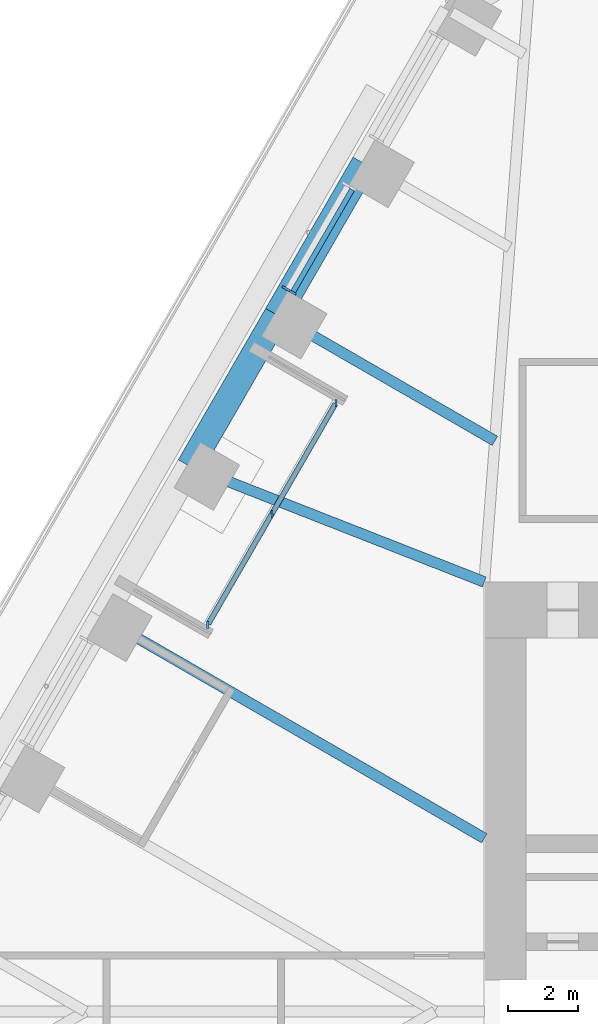
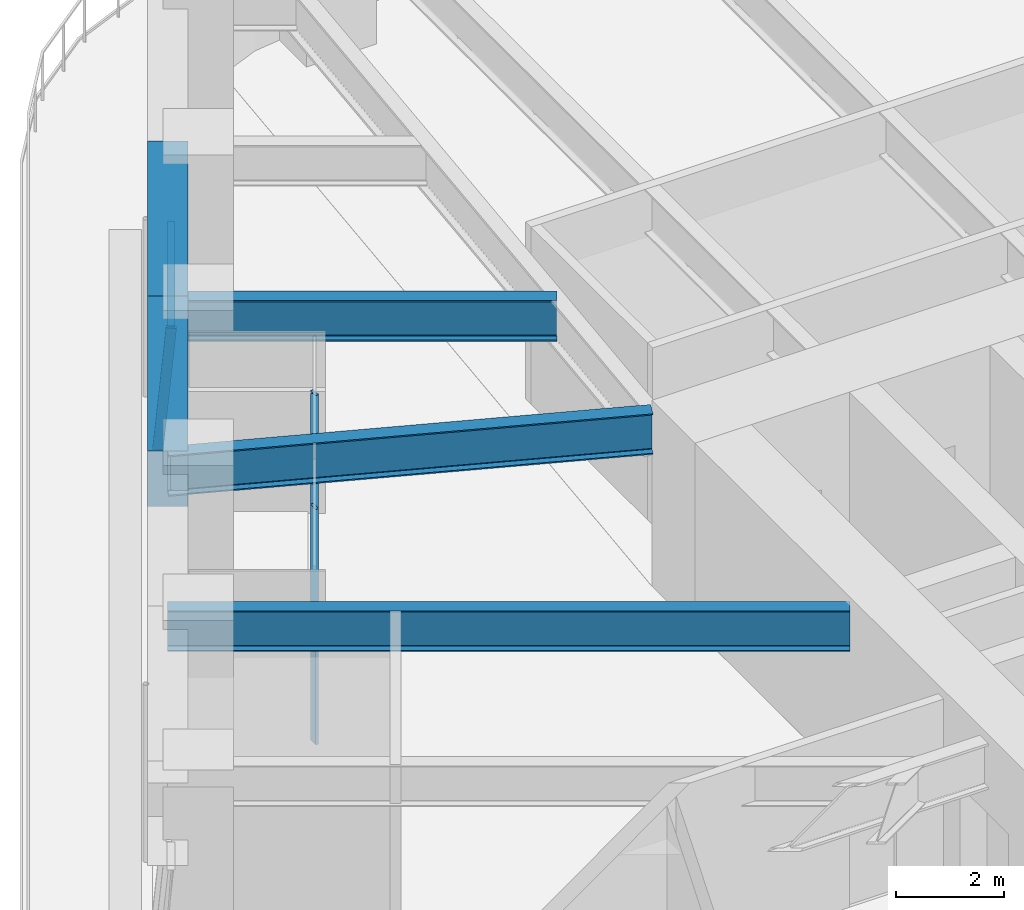
# One storey, part 8 of 24: 6 members, 5 beams, 2 elements without a shape of their own.
"""IFC4 building model written with IfcOpenShell, lengths in metres."""

from ifc_helpers import new_model, si_unit, direction, frame, origin, origin_2d, place, context, subcontext, project, spatial, rectangle, i_section, extrude, material, material_profile, profile_set, type_object, element, aggregate, save


model = new_model("IFC4")

# Units and contexts
model_context = context("Model", 3, precision=1e-05, world=origin(), true_north=direction((0.0, 1.0)))
body_context = subcontext(model_context, "Body", "Model", "MODEL_VIEW")
ifc_project = project(units=[si_unit("LENGTHUNIT", "METRE"), si_unit("AREAUNIT", "SQUARE_METRE"), si_unit("VOLUMEUNIT", "CUBIC_METRE"), si_unit("PLANEANGLEUNIT", "RADIAN"), si_unit("MASSUNIT", "GRAM", prefix="KILO")], contexts=[model_context])

# Site, building, storey
site_placement = place(None, origin())
site = spatial("IfcSite", under=ifc_project, at=site_placement, CompositionType="ELEMENT")
building_placement = place(site_placement, origin())
building = spatial("IfcBuilding", under=site, at=building_placement, Name="Tarfa Lantern Tower", CompositionType="ELEMENT")
storey_placement = place(building_placement, frame((0.0, 0.0, 182.5)))
storey = spatial("IfcBuildingStorey", under=building, at=storey_placement, Name="L41", CompositionType="ELEMENT", Elevation=182.5)

# Curtain wall, member
ifc_material_1 = material(Name="Aluminium framed curtain wall", Category="aluminium")
curtain_wall_type_1 = type_object("IfcCurtainWallType", Name="CW2 CANTED GLAZING MID ZONE 2750", PredefinedType="USERDEFINED", material=ifc_material_1)
curtain_wall_1_placement = place(storey_placement, origin())
curtain_wall_1 = element("IfcCurtainWall", 1, at=curtain_wall_1_placement, inside=storey, type_object=curtain_wall_type_1, Name="CW2 NW L41", ObjectType="CURTAIN WALL", PredefinedType="USERDEFINED")
ifc_material_2 = material(Name="Aluminium mullion", Category="aluminium")
ifc_material_profile_1 = material_profile(ifc_material_2, rectangle(XDim=0.06494140625, YDim=0.199951171875, at=origin_2d()), Name="AL MULLION 65x200")
ifc_profile_set_1 = profile_set([ifc_material_profile_1], Name="Aluminium mullion")
member_type_1 = type_object("IfcMemberType", Name="CWM1 MULLION 65x200", PredefinedType="MULLION", material=ifc_profile_set_1)
member_1_placement = place(storey_placement, frame((-24.300048828125, 20.7109375, 0.0), z_axis=(0.078422950161, -0.045267813396, 0.995891894715), x_axis=(0.499919672301, 0.866071776036, 0.0)))
member_1 = element("IfcMember", 2, at=member_1_placement, type_object=member_type_1, Name="CW2 mullion 2", PredefinedType="MULLION", context=body_context, shape_type="SweptSolid", body=[
    extrude(rectangle(XDim=0.06494140625, YDim=0.199951171875, at=origin_2d()), origin(), (0.0, 0.0, 1.0), 2.76123046875),
])

# Curtain wall, members
curtain_wall_type_2 = type_object("IfcCurtainWallType", Name="CW10 LOGGIA GLAZING 2750", PredefinedType="USERDEFINED", material=ifc_material_1)
curtain_wall_2_placement = place(storey_placement, origin())
curtain_wall_2 = element("IfcCurtainWall", 3, at=curtain_wall_2_placement, inside=storey, type_object=curtain_wall_type_2, Name="CW10 NWL L41", ObjectType="CURTAIN WALL", PredefinedType="USERDEFINED")
member_2_placement = place(storey_placement, frame((-22.84619140625, 17.429443359375, 0.0), z_axis=(0.0, 0.0, 1.0), x_axis=(1.0, 0.0, 0.0)))
member_2 = element("IfcMember", 4, at=member_2_placement, type_object=member_type_1, Name="CW10 mullion 1", PredefinedType="MULLION", context=body_context, shape_type="SweptSolid", body=[
    extrude(rectangle(XDim=0.06494140625, YDim=0.199951171875, at=origin_2d()), origin(), (0.0, 0.0, 1.0), 2.75),
])
member_3_placement = place(storey_placement, frame((-24.681640625, 14.25, 0.0), z_axis=(0.0, 0.0, 1.0), x_axis=(1.0, 0.0, 0.0)))
member_3 = element("IfcMember", 5, at=member_3_placement, type_object=member_type_1, Name="CW10 mullion 2", PredefinedType="MULLION", context=body_context, shape_type="SweptSolid", body=[
    extrude(rectangle(XDim=0.06494140625, YDim=0.199951171875, at=origin_2d()), origin(), (0.0, 0.0, 1.0), 2.75),
])
member_4_placement = place(storey_placement, frame((-26.517333984375, 11.070556640625, 0.0), z_axis=(0.0, 0.0, 1.0), x_axis=(1.0, 0.0, 0.0)))
member_4 = element("IfcMember", 6, at=member_4_placement, type_object=member_type_1, Name="CW10 mullion 3", PredefinedType="MULLION", context=body_context, shape_type="SweptSolid", body=[
    extrude(rectangle(XDim=0.06494140625, YDim=0.199951171875, at=origin_2d()), origin(), (0.0, 0.0, 1.0), 2.75),
])

# Member
ifc_material_3 = material(Name="Aluminium transom", Category="aluminium")
ifc_material_profile_2 = material_profile(ifc_material_3, rectangle(XDim=0.14990234375, YDim=0.06494140625, at=origin_2d()), Name="AL TRANSOM 150x65")
ifc_profile_set_2 = profile_set([ifc_material_profile_2], Name="Aluminium transom")
member_type_2 = type_object("IfcMemberType", Name="CWT1 TRANSOM 150x65", PredefinedType="USERDEFINED", material=ifc_profile_set_2)
member_5_placement = place(storey_placement, frame((-22.383056640625, 23.537353515625, 2.717529296875), z_axis=(-0.499991822116, -0.866030125237, 0.0), x_axis=(0.866030125237, -0.499991822116, 0.0)))
member_5 = element("IfcMember", 7, at=member_5_placement, type_object=member_type_2, Name="CW2 transom 1.2", ObjectType="TRANSOM", PredefinedType="USERDEFINED", context=body_context, shape_type="SweptSolid", body=[
    extrude(rectangle(XDim=0.14990234375, YDim=0.06494140625, at=origin_2d()), origin(), (0.0, 0.0, 1.0), 3.37353515625),
])

aggregate(curtain_wall_1, [member_1, member_5])

member_6_placement = place(storey_placement, frame((-22.8623046875, 17.401123046875, 2.717529296875), z_axis=(-0.500007048974, -0.866021334019, 0.0), x_axis=(0.866021334019, -0.500007048974, 0.0)))
member_6 = element("IfcMember", 8, at=member_6_placement, type_object=member_type_2, Name="CW10 transom 1.2", ObjectType="TRANSOM", PredefinedType="USERDEFINED", context=body_context, shape_type="SweptSolid", body=[
    extrude(rectangle(XDim=0.14990234375, YDim=0.06494140625, at=origin_2d()), origin(), (0.0, 0.0, 1.0), 7.27734375),
])

aggregate(curtain_wall_2, [member_2, member_3, member_4, member_6])

# Beams
ifc_material_4 = material(Name="Concrete C80/95", Category="concrete")
ifc_material_profile_3 = material_profile(ifc_material_4, rectangle(XDim=0.75, YDim=1.25, at=origin_2d()), Name="RC 750x1250")
ifc_profile_set_3 = profile_set([ifc_material_profile_3], Name="Concrete C80/95")
beam_type_1 = type_object("IfcBeamType", Name="EB2 RC 750x1250", PredefinedType="SPANDREL", material=ifc_profile_set_3)
for number, where, z_axis, x_axis, name in (
    (9, (-22.03369140625, 24.276611328125, 3.375), (-0.49998573051, -0.866033642122, 0.0), (0.866033642122, -0.49998573051, 0.0), "Edge beam NW1"),
    (10, (-24.535400390625, 19.943359375, 3.375), (-0.500022324899, -0.866012514114, 0.0), (0.866012514114, -0.500022324899, 0.0), "Edge beam NW2"),
):
    element("IfcBeam", number, at=place(storey_placement, frame(where, z_axis=z_axis, x_axis=x_axis)), inside=storey, type_object=beam_type_1, Name=name, PredefinedType="SPANDREL", context=body_context, shape_type="SweptSolid", body=[
        extrude(rectangle(XDim=0.75, YDim=1.25, at=origin_2d()), origin(), (0.0, 0.0, 1.0), 5.003662109375),
    ])
ifc_material_5 = material(Name="Steel S460M", Category="steel")
ifc_material_profile_4 = material_profile(ifc_material_5, i_section(OverallWidth=0.305419921875, OverallDepth=0.91845703125, WebThickness=0.017333984375, FlangeThickness=0.02783203125, FilletRadius=0.01904296875, at=origin_2d()), Name="UB914x305x253")
ifc_profile_set_4 = profile_set([ifc_material_profile_4], Name="Steel S460M")
beam_type_2 = type_object("IfcBeamType", Name="UB914x305x253", PredefinedType="BEAM", material=ifc_profile_set_4)
beam_1_placement = place(storey_placement, frame((-24.535400390625, 19.943359375, 3.540771484375), z_axis=(0.86602647304, -0.499998147991, 0.0), x_axis=(0.499998147991, 0.86602647304, 0.0)))
element("IfcBeam", 11, at=beam_1_placement, inside=storey, type_object=beam_type_2, Name="Floor beam NW2", PredefinedType="BEAM", context=body_context, shape_type="SweptSolid", body=[
    extrude(i_section(OverallWidth=0.305419921875, OverallDepth=0.91845703125, WebThickness=0.017333984375, FlangeThickness=0.02783203125, FilletRadius=0.01904296875, at=origin_2d()), origin(), (0.0, 0.0, 1.0), 7.20556640625),
])
beam_2_placement = place(storey_placement, frame((-27.037353515625, 15.610107421875, 3.540771484375), z_axis=(0.930923282782, -0.365214788274, 0.0), x_axis=(0.365214788274, 0.930923282782, 0.0)))
element("IfcBeam", 12, at=beam_2_placement, inside=storey, type_object=beam_type_2, Name="Floor beam NW3", PredefinedType="BEAM", context=body_context, shape_type="SweptSolid", body=[
    extrude(i_section(OverallWidth=0.305419921875, OverallDepth=0.91845703125, WebThickness=0.017333984375, FlangeThickness=0.02783203125, FilletRadius=0.01904296875, at=origin_2d()), origin(), (0.0, 0.0, 1.0), 9.063232421875),
])
beam_3_placement = place(storey_placement, frame((-29.5390625, 11.276611328125, 3.540771484375), z_axis=(0.866023362995, -0.500003534735, 0.0), x_axis=(0.500003534735, 0.866023362995, 0.0)))
element("IfcBeam", 13, at=beam_3_placement, inside=storey, type_object=beam_type_2, Name="Floor beam NW4", PredefinedType="BEAM", context=body_context, shape_type="SweptSolid", body=[
    extrude(i_section(OverallWidth=0.305419921875, OverallDepth=0.91845703125, WebThickness=0.017333984375, FlangeThickness=0.02783203125, FilletRadius=0.01904296875, at=origin_2d()), origin(), (0.0, 0.0, 1.0), 12.63134765625),
])

save(model, "model.ifc")
